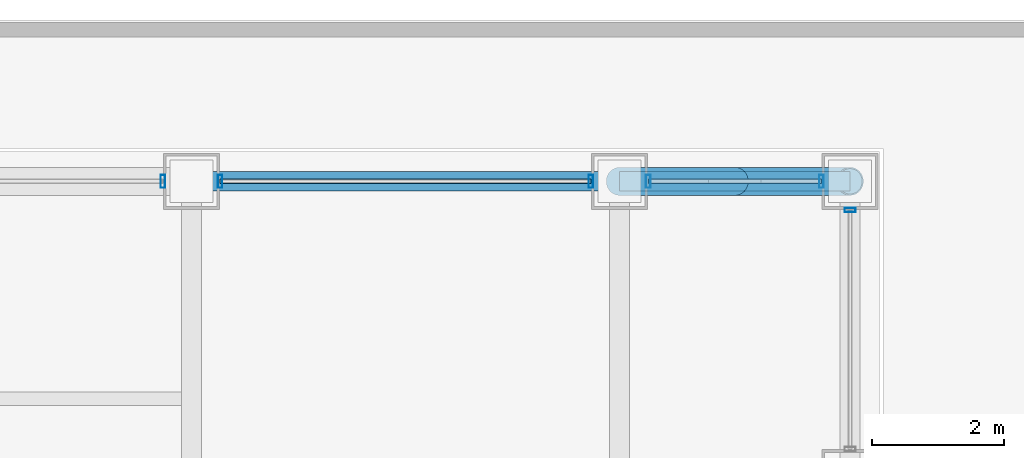
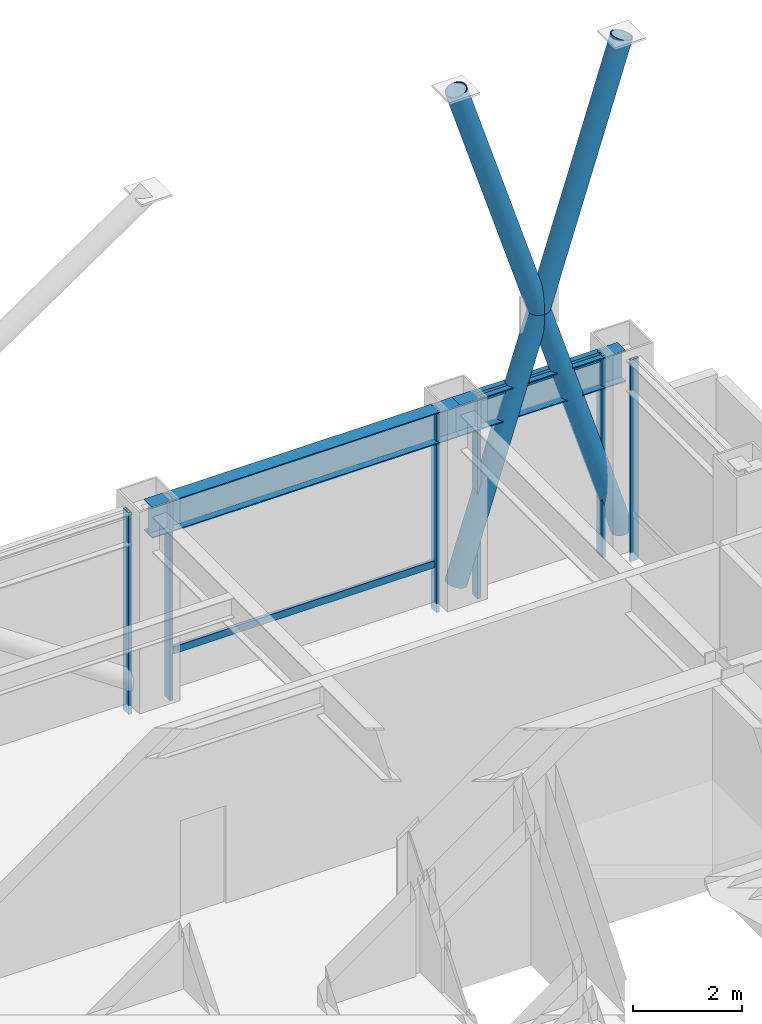
# One storey, part 26 of 32: 11 members, 2 beams, 4 elements without a shape of their own.
"""IFC4 building model written with IfcOpenShell, lengths in metres."""

from ifc_helpers import new_model, si_unit, direction, frame, origin, origin_2d, place, context, subcontext, project, spatial, hollow_rectangle, hollow_circle, i_section, extrude, material, layer, layer_set, material_profile, profile_set, type_object, element, aggregate, save


model = new_model("IFC4")

# Units and contexts
model_context = context("Model", 3, precision=1e-05, world=origin(), true_north=direction((0.0, 1.0)))
body_context = subcontext(model_context, "Body", "Model", "MODEL_VIEW")
ifc_project = project(units=[si_unit("LENGTHUNIT", "METRE"), si_unit("AREAUNIT", "SQUARE_METRE"), si_unit("VOLUMEUNIT", "CUBIC_METRE"), si_unit("PLANEANGLEUNIT", "RADIAN"), si_unit("MASSUNIT", "GRAM", prefix="KILO")], contexts=[model_context])

# Site, building, storey
site_placement = place(None, origin())
site = spatial("IfcSite", under=ifc_project, at=site_placement, CompositionType="ELEMENT")
building_placement = place(site_placement, origin())
building = spatial("IfcBuilding", under=site, at=building_placement, Name="Brelmoor Portico Tower", CompositionType="ELEMENT")
storey_placement = place(building_placement, frame((0.0, 0.0, 87.300048828125)))
storey = spatial("IfcBuildingStorey", under=building, at=storey_placement, Name="L22", CompositionType="ELEMENT", Elevation=87.300048828125)

# Beams
ifc_material_1 = material(Name="Steel Q355B", Category="steel")
ifc_material_profile_1 = material_profile(ifc_material_1, i_section(OverallWidth=0.300048828125, OverallDepth=0.699951171875, WebThickness=0.012939453125, FlangeThickness=0.02392578125, at=origin_2d()), Name="HN 700x300x13x24")
ifc_profile_set_1 = profile_set([ifc_material_profile_1], Name="Steel Q355B")
beam_type = type_object("IfcBeamType", Name="BM-SP-700", PredefinedType="SPANDREL", material=ifc_profile_set_1)
beam_1_placement = place(storey_placement, frame((8.050048828125, 19.550048828125, 3.949951171875), z_axis=(1.0, 0.0, 0.0), x_axis=(0.0, 1.0, 0.0)))
element("IfcBeam", 1, at=beam_1_placement, inside=storey, type_object=beam_type, Name="L22 Perimeter Spandrel Beam SP-13", PredefinedType="SPANDREL", context=body_context, shape_type="SweptSolid", body=[
    extrude(i_section(OverallWidth=0.300048828125, OverallDepth=0.699951171875, WebThickness=0.012939453125, FlangeThickness=0.02392578125, at=origin_2d()), origin(), (0.0, 0.0, 1.0), 6.5),
])
beam_2_placement = place(storey_placement, frame((14.550048828125, 19.550048828125, 3.949951171875), z_axis=(1.0, 0.0, 0.0), x_axis=(0.0, 1.0, 0.0)))
element("IfcBeam", 2, at=beam_2_placement, inside=storey, type_object=beam_type, Name="L22 Perimeter Spandrel Beam SP-14", PredefinedType="SPANDREL", context=body_context, shape_type="SweptSolid", body=[
    extrude(i_section(OverallWidth=0.300048828125, OverallDepth=0.699951171875, WebThickness=0.012939453125, FlangeThickness=0.02392578125, at=origin_2d()), origin(), (0.0, 0.0, 1.0), 3.5),
])

# Members
ifc_material_profile_2 = material_profile(ifc_material_1, hollow_circle(Radius=0.212890625, WallThickness=0.02001953125, at=origin_2d()), Name="CHS 426x20")
ifc_profile_set_2 = profile_set([ifc_material_profile_2], Name="Steel Q355B")
member_type_1 = type_object("IfcMemberType", Name="MB-BELT-DIAG1", PredefinedType="BRACE", material=ifc_profile_set_2)
member_1_placement = place(storey_placement, frame((14.550048828125, 19.550048828125, 0.25), z_axis=(0.303203657277, 0.0, 0.952925780013), x_axis=(0.0, 1.0, 0.0)))
element("IfcMember", 3, at=member_1_placement, inside=storey, type_object=member_type_1, Name="L22 Continuous Mega-X Brace 046A", PredefinedType="BRACE", context=body_context, shape_type="SweptSolid", body=[
    extrude(hollow_circle(Radius=0.212890625, WallThickness=0.02001953125, at=origin_2d()), origin(), (0.0, 0.0, 1.0), 11.54345703125),
])
for number, where, z_axis, x_axis, name in (
    (4, (18.050048828125, 19.550048828125, 0.25), (-0.303203657277, 0.0, 0.952925780013), (0.0, -1.0, 0.0), "L22 Split Mega-X Brace 046B1"),
    (5, (16.300048828125, 19.550048828125, 5.75), (-0.303203657277, 0.0, 0.952925780013), (0.0, -1.0, 0.0), "L22 Split Mega-X Brace 046B2"),
):
    element("IfcMember", number, at=place(storey_placement, frame(where, z_axis=z_axis, x_axis=x_axis)), inside=storey, type_object=member_type_1, Name=name, PredefinedType="BRACE", context=body_context, shape_type="SweptSolid", body=[
        extrude(hollow_circle(Radius=0.212890625, WallThickness=0.02001953125, at=origin_2d()), origin(), (0.0, 0.0, 1.0), 5.771728515625),
    ])

# Curtain wall, member
ifc_material_2 = material(Name="Anodised Aluminium Alloy 6063-T6", Category="aluminium")
ifc_layer_1 = layer(ifc_material_2, 0.179931640625)
ifc_layer_set_1 = layer_set([ifc_layer_1], Name="Anodised Aluminium Alloy 6063-T6")
curtain_wall_type_1 = type_object("IfcCurtainWallType", Name="CW-NOTCH-CHAMFER", PredefinedType="NOTDEFINED", material=ifc_layer_set_1)
curtain_wall_1_placement = place(storey_placement, origin())
curtain_wall_1 = element("IfcCurtainWall", 6, at=curtain_wall_1_placement, inside=storey, type_object=curtain_wall_type_1, Name="L22 Curtain Wall CWN-L22-NEV", PredefinedType="NOTDEFINED")
ifc_material_profile_3 = material_profile(ifc_material_2, hollow_rectangle(XDim=0.06494140625, YDim=0.1650390625, WallThickness=0.00390625, at=origin_2d()), Name="ALU MULLION 65x165")
ifc_profile_set_3 = profile_set([ifc_material_profile_3], Name="Anodised Aluminium Alloy 6063-T6")
member_type_2 = type_object("IfcMemberType", Name="MB-CW-MULL-165", PredefinedType="MULLION", material=ifc_profile_set_3)
member_2_placement = place(storey_placement, frame((18.050048828125, 19.114990234375, -0.199951171875), z_axis=(0.0, 0.0, 1.0), x_axis=(0.0, 1.0, 0.0)))
member_2 = element("IfcMember", 7, at=member_2_placement, type_object=member_type_2, Name="CWN-L22-NEV Mullion 01", PredefinedType="MULLION", context=body_context, shape_type="SweptSolid", body=[
    extrude(hollow_rectangle(XDim=0.06494140625, YDim=0.1650390625, WallThickness=0.00390625, at=origin_2d()), origin(), (0.0, 0.0, 1.0), 4.5),
])
aggregate(curtain_wall_1, [member_2])

ifc_layer_2 = layer(ifc_material_2, 0.179931640625)
ifc_layer_set_2 = layer_set([ifc_layer_2], Name="Anodised Aluminium Alloy 6063-T6")
curtain_wall_type_2 = type_object("IfcCurtainWallType", Name="CW-SKYLOBBY-XB", PredefinedType="NOTDEFINED", material=ifc_layer_set_2)
curtain_wall_2_placement = place(storey_placement, origin())
curtain_wall_2 = element("IfcCurtainWall", 8, at=curtain_wall_2_placement, inside=storey, type_object=curtain_wall_type_2, Name="L22 Curtain Wall CW-L22-02-3", PredefinedType="NOTDEFINED")
ifc_material_profile_4 = material_profile(ifc_material_2, hollow_rectangle(XDim=0.070068359375, YDim=0.199951171875, WallThickness=0.00439453125, at=origin_2d()), Name="ALU MULLION 70x200")
ifc_profile_set_4 = profile_set([ifc_material_profile_4], Name="Anodised Aluminium Alloy 6063-T6")
member_type_3 = type_object("IfcMemberType", Name="MB-CW-MULL-200", PredefinedType="MULLION", material=ifc_profile_set_4)
member_3_placement = place(storey_placement, frame((7.614990234375, 19.550048828125, -0.199951171875), z_axis=(0.0, 0.0, 1.0), x_axis=(1.0, 0.0, 0.0)))
member_3 = element("IfcMember", 9, at=member_3_placement, type_object=member_type_3, Name="CW-L22-02-3 Mullion 01", PredefinedType="MULLION", context=body_context, shape_type="SweptSolid", body=[
    extrude(hollow_rectangle(XDim=0.070068359375, YDim=0.199951171875, WallThickness=0.00439453125, at=origin_2d()), origin(), (0.0, 0.0, 1.0), 4.5),
])
aggregate(curtain_wall_2, [member_3])

# Curtain wall, members
ifc_layer_3 = layer(ifc_material_2, 0.179931640625)
ifc_layer_set_3 = layer_set([ifc_layer_3], Name="Anodised Aluminium Alloy 6063-T6")
curtain_wall_type_3 = type_object("IfcCurtainWallType", Name="CW-SKYLOBBY", PredefinedType="NOTDEFINED", material=ifc_layer_set_3)
curtain_wall_3_placement = place(storey_placement, origin())
curtain_wall_3 = element("IfcCurtainWall", 10, at=curtain_wall_3_placement, inside=storey, type_object=curtain_wall_type_3, Name="L22 Curtain Wall CW-L22-02-4", PredefinedType="NOTDEFINED")
member_4_placement = place(storey_placement, frame((8.485107421875, 19.550048828125, -0.199951171875), z_axis=(0.0, 0.0, 1.0), x_axis=(1.0, 0.0, 0.0)))
member_4 = element("IfcMember", 11, at=member_4_placement, type_object=member_type_3, Name="CW-L22-02-4 Mullion 00", PredefinedType="MULLION", context=body_context, shape_type="SweptSolid", body=[
    extrude(hollow_rectangle(XDim=0.070068359375, YDim=0.199951171875, WallThickness=0.00439453125, at=origin_2d()), origin(), (0.0, 0.0, 1.0), 4.5),
])
member_5_placement = place(storey_placement, frame((14.114990234375, 19.550048828125, -0.199951171875), z_axis=(0.0, 0.0, 1.0), x_axis=(1.0, 0.0, 0.0)))
member_5 = element("IfcMember", 12, at=member_5_placement, type_object=member_type_3, Name="CW-L22-02-4 Mullion 01", PredefinedType="MULLION", context=body_context, shape_type="SweptSolid", body=[
    extrude(hollow_rectangle(XDim=0.070068359375, YDim=0.199951171875, WallThickness=0.00439453125, at=origin_2d()), origin(), (0.0, 0.0, 1.0), 4.5),
])

curtain_wall_4_placement = place(storey_placement, origin())
curtain_wall_4 = element("IfcCurtainWall", 13, at=curtain_wall_4_placement, inside=storey, type_object=curtain_wall_type_2, Name="L22 Curtain Wall CW-L22-02-5", PredefinedType="NOTDEFINED")
member_6_placement = place(storey_placement, frame((14.985107421875, 19.550048828125, -0.199951171875), z_axis=(0.0, 0.0, 1.0), x_axis=(1.0, 0.0, 0.0)))
member_6 = element("IfcMember", 14, at=member_6_placement, type_object=member_type_3, Name="CW-L22-02-5 Mullion 00", PredefinedType="MULLION", context=body_context, shape_type="SweptSolid", body=[
    extrude(hollow_rectangle(XDim=0.070068359375, YDim=0.199951171875, WallThickness=0.00439453125, at=origin_2d()), origin(), (0.0, 0.0, 1.0), 4.5),
])
member_7_placement = place(storey_placement, frame((17.614990234375, 19.550048828125, -0.199951171875), z_axis=(0.0, 0.0, 1.0), x_axis=(1.0, 0.0, 0.0)))
member_7 = element("IfcMember", 15, at=member_7_placement, type_object=member_type_3, Name="CW-L22-02-5 Mullion 01", PredefinedType="MULLION", context=body_context, shape_type="SweptSolid", body=[
    extrude(hollow_rectangle(XDim=0.070068359375, YDim=0.199951171875, WallThickness=0.00439453125, at=origin_2d()), origin(), (0.0, 0.0, 1.0), 4.5),
])

# Member
ifc_material_profile_5 = material_profile(ifc_material_2, hollow_rectangle(XDim=0.070068359375, YDim=0.159912109375, WallThickness=0.00390625, at=origin_2d()), Name="ALU TRANSOM 70x160")
ifc_profile_set_5 = profile_set([ifc_material_profile_5], Name="Anodised Aluminium Alloy 6063-T6")
member_type_4 = type_object("IfcMemberType", Name="MB-CW-TRAN-160", PredefinedType="USERDEFINED", material=ifc_profile_set_5)
member_8_placement = place(storey_placement, frame((8.485107421875, 19.550048828125, 0.849853515625), z_axis=(1.0, 0.0, 0.0), x_axis=(0.0, 1.0, 0.0)))
member_8 = element("IfcMember", 16, at=member_8_placement, type_object=member_type_4, Name="CW-L22-02-4 Transom 1-00", ObjectType="TRANSOM", PredefinedType="USERDEFINED", context=body_context, shape_type="SweptSolid", body=[
    extrude(hollow_rectangle(XDim=0.070068359375, YDim=0.159912109375, WallThickness=0.00390625, at=origin_2d()), origin(), (0.0, 0.0, 1.0), 5.6298828125),
])

aggregate(curtain_wall_3, [member_4, member_5, member_8])

member_9_placement = place(storey_placement, frame((14.985107421875, 19.550048828125, 4.219970703125), z_axis=(1.0, 0.0, 0.0), x_axis=(0.0, 1.0, 0.0)))
member_9 = element("IfcMember", 17, at=member_9_placement, type_object=member_type_4, Name="CW-L22-02-5 Transom 1-00", ObjectType="TRANSOM", PredefinedType="USERDEFINED", context=body_context, shape_type="SweptSolid", body=[
    extrude(hollow_rectangle(XDim=0.070068359375, YDim=0.159912109375, WallThickness=0.00390625, at=origin_2d()), origin(), (0.0, 0.0, 1.0), 2.6298828125),
])

aggregate(curtain_wall_4, [member_6, member_7, member_9])

save(model, "model.ifc")
